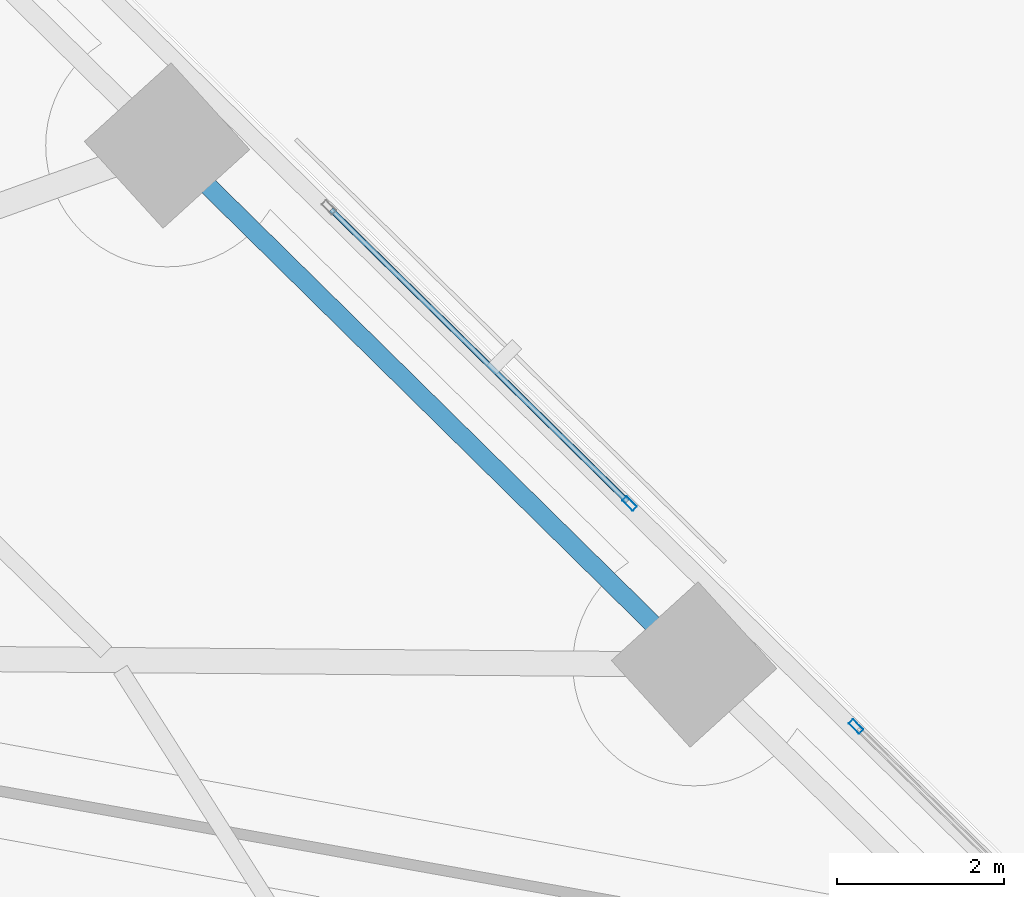
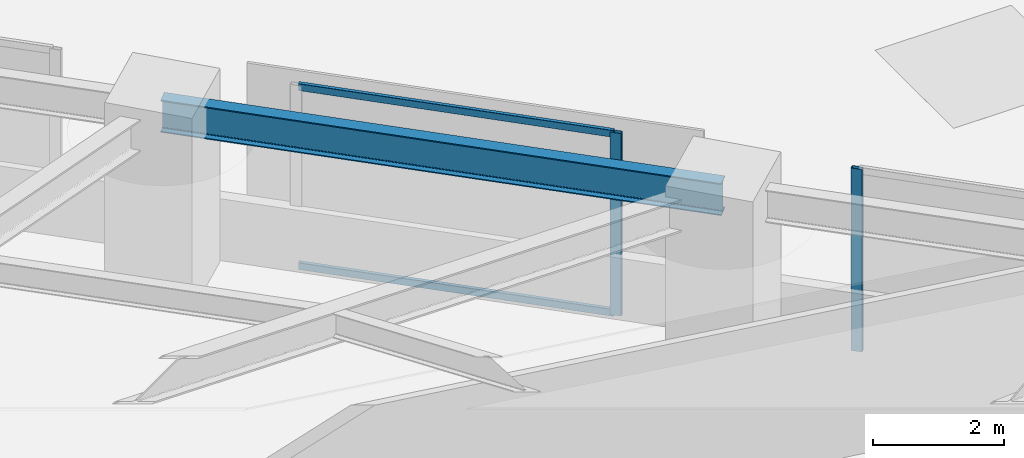
# One storey, part 4 of 19: 4 members, 1 beam, 2 elements without a shape of their own.
"""IFC4 building model written with IfcOpenShell, lengths in metres."""

from ifc_helpers import new_model, si_unit, direction, frame, origin, origin_2d, place, context, subcontext, project, spatial, hollow_rectangle, i_section, extrude, material, material_profile, profile_set, type_object, element, aggregate, save


model = new_model("IFC4")

# Units and contexts
model_context = context("Model", 3, precision=1e-05, world=origin(), true_north=direction((0.0, 1.0)))
body_context = subcontext(model_context, "Body", "Model", "MODEL_VIEW")
ifc_project = project(units=[si_unit("LENGTHUNIT", "METRE"), si_unit("AREAUNIT", "SQUARE_METRE"), si_unit("VOLUMEUNIT", "CUBIC_METRE"), si_unit("PLANEANGLEUNIT", "RADIAN"), si_unit("MASSUNIT", "GRAM", prefix="KILO")], contexts=[model_context])

# Site, building, storey
site_placement = place(None, origin())
site = spatial("IfcSite", under=ifc_project, at=site_placement, CompositionType="ELEMENT")
building_placement = place(site_placement, origin())
building = spatial("IfcBuilding", under=site, at=building_placement, Name="Narakoshi Arena Tower", CompositionType="ELEMENT")
storey_placement = place(building_placement, frame((0.0, 0.0, 26.699951171875)))
storey = spatial("IfcBuildingStorey", under=building, at=storey_placement, Name="L06", CompositionType="ELEMENT", Elevation=26.699951171875)

# Beam
ifc_material_1 = material(Name="Structural steel S355J2", Category="steel")
ifc_material_profile_1 = material_profile(ifc_material_1, i_section(OverallWidth=0.219970703125, OverallDepth=0.60009765625, WebThickness=0.011962890625, FlangeThickness=0.01904296875, FilletRadius=0.02392578125, at=origin_2d()), Name="IPE600")
ifc_profile_set_1 = profile_set([ifc_material_profile_1], Name="Structural steel S355J2")
beam_type = type_object("IfcBeamType", Name="BM-EDGE-600", PredefinedType="BEAM", material=ifc_profile_set_1)
beam_placement = place(storey_placement, frame((108.643798828125, 43.171875, 3.10009765625), z_axis=(-0.712540689328, 0.70163079041, 0.0), x_axis=(-0.70163079041, -0.712540689328, 0.0)))
element("IfcBeam", 1, at=beam_placement, inside=storey, type_object=beam_type, Name="L06 Perimeter Edge Girder 06", PredefinedType="BEAM", context=body_context, shape_type="SweptSolid", body=[
    extrude(i_section(OverallWidth=0.219970703125, OverallDepth=0.60009765625, WebThickness=0.011962890625, FlangeThickness=0.01904296875, FilletRadius=0.02392578125, at=origin_2d()), origin(), (0.0, 0.0, 1.0), 8.83935546875),
])

# Curtain wall, member
ifc_material_2 = material(Name="Anodised bronze aluminium 6063-T6", Category="aluminium")
curtain_wall_type = type_object("IfcCurtainWallType", Name="CW-HYP-LOW", PredefinedType="NOTDEFINED", material=ifc_material_2)
curtain_wall_1_placement = place(storey_placement, origin())
curtain_wall_1 = element("IfcCurtainWall", 2, at=curtain_wall_1_placement, inside=storey, type_object=curtain_wall_type, Name="L06 Folded Hypotenuse Curtain Wall 1-2", PredefinedType="NOTDEFINED")
ifc_material_profile_2 = material_profile(ifc_material_2, hollow_rectangle(XDim=0.074951171875, YDim=0.179931640625, WallThickness=0.00390625, OuterFilletRadius=0.0048828125, at=origin_2d()), Name="MUL180x75x4")
ifc_profile_set_2 = profile_set([ifc_material_profile_2], Name="Anodised bronze aluminium 6063-T6")
member_type_1 = type_object("IfcMemberType", Name="MEM-MUL-180", PredefinedType="MULLION", material=ifc_profile_set_2)
member_1_placement = place(storey_placement, frame((110.578857421875, 42.43115234375, 0.0), z_axis=(0.0, 0.0, 1.0), x_axis=(-0.701623031404, -0.712548329451, 0.0)))
member_1 = element("IfcMember", 3, at=member_1_placement, type_object=member_type_1, Name="CW-01 mullion 2", PredefinedType="MULLION", context=body_context, shape_type="SweptSolid", body=[
    extrude(hollow_rectangle(XDim=0.074951171875, YDim=0.179931640625, WallThickness=0.00390625, OuterFilletRadius=0.0048828125, at=origin_2d()), origin(), (0.0, 0.0, 1.0), 3.400146484375),
])
aggregate(curtain_wall_1, [member_1])

# Curtain wall, members
curtain_wall_2_placement = place(storey_placement, origin())
curtain_wall_2 = element("IfcCurtainWall", 4, at=curtain_wall_2_placement, inside=storey, type_object=curtain_wall_type, Name="L06 Folded Hypotenuse Curtain Wall 1-3", PredefinedType="NOTDEFINED")
member_2_placement = place(storey_placement, frame((107.872802734375, 45.095947265625, 0.0), z_axis=(0.0, 0.0, 1.0), x_axis=(-0.701632802488, -0.712538708053, 0.0)))
member_2 = element("IfcMember", 5, at=member_2_placement, type_object=member_type_1, Name="CW-01 mullion 1", PredefinedType="MULLION", context=body_context, shape_type="SweptSolid", body=[
    extrude(hollow_rectangle(XDim=0.074951171875, YDim=0.179931640625, WallThickness=0.00390625, OuterFilletRadius=0.0048828125, at=origin_2d()), origin(), (0.0, 0.0, 1.0), 3.400146484375),
])
ifc_material_profile_3 = material_profile(ifc_material_2, hollow_rectangle(XDim=0.06494140625, YDim=0.1298828125, WallThickness=0.00390625, OuterFilletRadius=0.0048828125, at=origin_2d()), Name="TRN130x65x4")
ifc_profile_set_3 = profile_set([ifc_material_profile_3], Name="Anodised bronze aluminium 6063-T6")
member_type_2 = type_object("IfcMemberType", Name="MEM-TRN-130", PredefinedType="USERDEFINED", material=ifc_profile_set_3)
member_3_placement = place(storey_placement, frame((107.845947265625, 45.122314453125, 0.032470703125), z_axis=(-0.712542243067, 0.701629212508, 0.0), x_axis=(-0.701629212508, -0.712542243067, 0.0)))
member_3 = element("IfcMember", 6, at=member_3_placement, type_object=member_type_2, Name="CW-01 transom 1.1", ObjectType="TRANSOM", PredefinedType="USERDEFINED", context=body_context, shape_type="SweptSolid", body=[
    extrude(hollow_rectangle(XDim=0.06494140625, YDim=0.1298828125, WallThickness=0.00390625, OuterFilletRadius=0.0048828125, at=origin_2d()), origin(), (0.0, 0.0, 1.0), 4.966552734375),
])
member_4_placement = place(storey_placement, frame((107.845947265625, 45.122314453125, 3.367431640625), z_axis=(-0.712542243067, 0.701629212508, 0.0), x_axis=(-0.701629212508, -0.712542243067, 0.0)))
member_4 = element("IfcMember", 7, at=member_4_placement, type_object=member_type_2, Name="CW-01 transom 1.2", ObjectType="TRANSOM", PredefinedType="USERDEFINED", context=body_context, shape_type="SweptSolid", body=[
    extrude(hollow_rectangle(XDim=0.06494140625, YDim=0.1298828125, WallThickness=0.00390625, OuterFilletRadius=0.0048828125, at=origin_2d()), origin(), (0.0, 0.0, 1.0), 4.966552734375),
])
aggregate(curtain_wall_2, [member_2, member_3, member_4])

save(model, "model.ifc")
